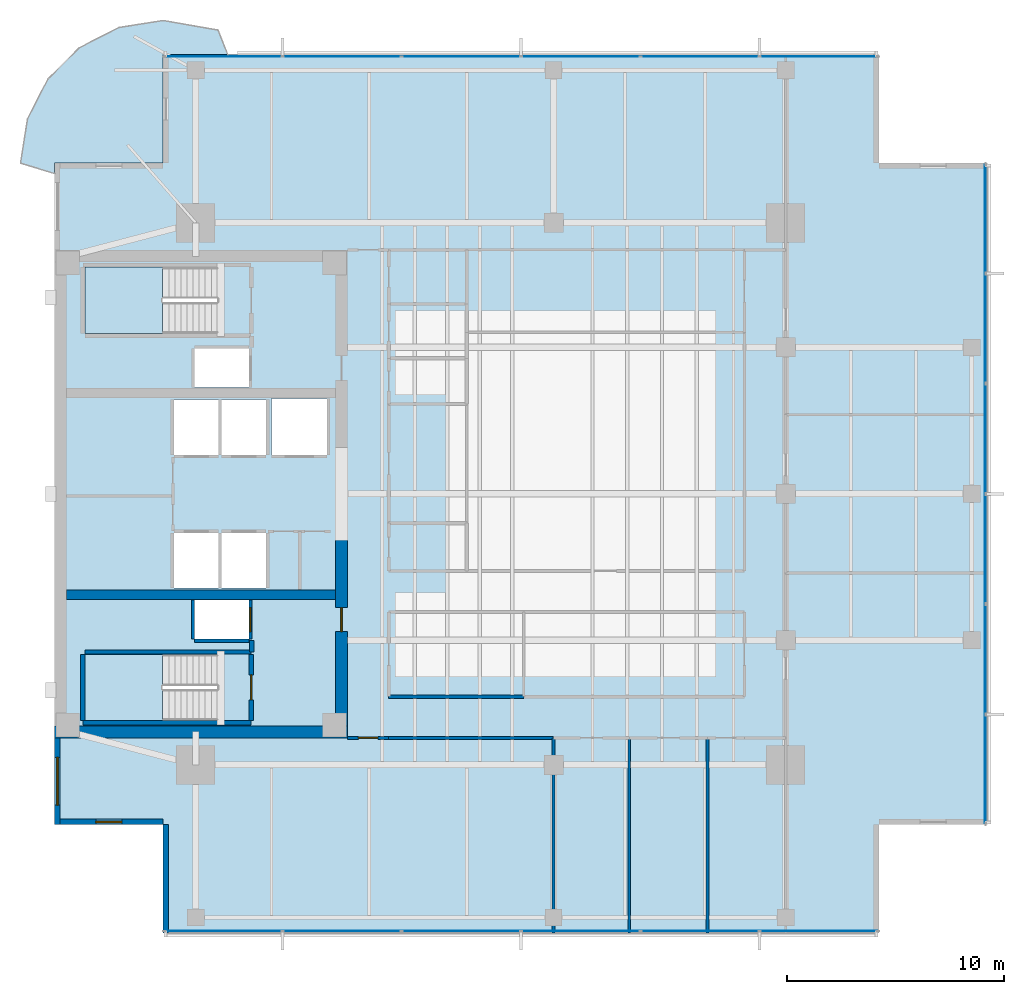
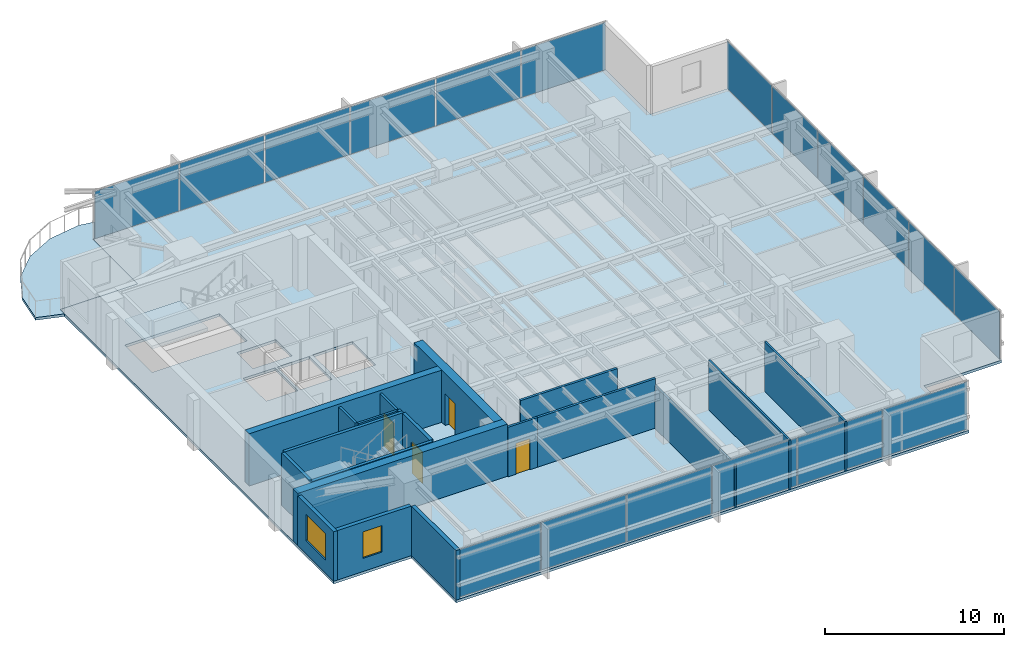
# One storey, part 7 of 14: 20 walls, 18 plates, 4 doors, 4 slabs, 2 windows, 6 openings, 5 elements without a shape of their own.
"""IFC4 building model written with IfcOpenShell, lengths in metres."""

from ifc_helpers import new_model, si_unit, direction, frame, frame_2d, origin, origin_2d, place, context, subcontext, project, spatial, polyline, rectangle, outline, extrude, material, layer, layer_set, type_object, element, fill, aggregate, save


model = new_model("IFC4")

# Units and contexts
model_context = context("Model", 3, precision=1e-05, world=origin(), true_north=direction((0.0, 1.0)))
body_context = subcontext(model_context, "Body", "Model", "MODEL_VIEW")
ifc_project = project(units=[si_unit("LENGTHUNIT", "METRE"), si_unit("AREAUNIT", "SQUARE_METRE"), si_unit("VOLUMEUNIT", "CUBIC_METRE"), si_unit("PLANEANGLEUNIT", "RADIAN"), si_unit("MASSUNIT", "GRAM", prefix="KILO")], contexts=[model_context])

# Site, building, storey
site_placement = place(None, origin())
site = spatial("IfcSite", under=ifc_project, at=site_placement, CompositionType="ELEMENT")
building_placement = place(site_placement, origin())
building = spatial("IfcBuilding", under=site, at=building_placement, Name="Kinhvarn Gate Tower", CompositionType="ELEMENT")
storey_placement = place(building_placement, frame((0.0, 0.0, 223.550048828125)))
storey = spatial("IfcBuildingStorey", under=building, at=storey_placement, Name="L59", CompositionType="ELEMENT", Elevation=223.550048828125)

# Curtain wall, plates
ifc_material_1 = material(Name="Anodised aluminium AW-6063", Category="aluminium")
ifc_layer_1 = layer(ifc_material_1, 0.179931640625)
ifc_layer_set_1 = layer_set([ifc_layer_1], Name="Anodised aluminium AW-6063")
curtain_wall_type = type_object("IfcCurtainWallType", Name="CW-SYS-3", PredefinedType="NOTDEFINED", material=ifc_layer_set_1)
curtain_wall_1_placement = place(storey_placement, origin())
curtain_wall_1 = element("IfcCurtainWall", 1, at=curtain_wall_1_placement, inside=storey, type_object=curtain_wall_type, Name="Curtain Wall CW3 (L59)", PredefinedType="NOTDEFINED")
ifc_material_2 = material(Name="Clear low-e double glazing", Category="glass")
ifc_layer_2 = layer(ifc_material_2, 0.031982421875)
ifc_layer_set_2 = layer_set([ifc_layer_2], Name="Clear low-e double glazing")
plate_type = type_object("IfcPlateType", Name="CW-PNL-VIS", PredefinedType="CURTAIN_PANEL", material=ifc_layer_set_2)
plate_1_placement = place(storey_placement, frame((12.266357421875, 5.090087890625, 0.070068359375), z_axis=(0.0, 0.0, 1.0), x_axis=(1.0, 0.0, 0.0)))
plate_1 = element("IfcPlate", 2, at=plate_1_placement, type_object=plate_type, Name="CW3 panel 1.1", PredefinedType="CURTAIN_PANEL", context=body_context, shape_type="SweptSolid", body=[
    extrude(rectangle(XDim=5.402587890625, YDim=0.031982421875, at=origin_2d()), origin(), (0.0, 0.0, 1.0), 3.22998046875),
])
plate_2_placement = place(storey_placement, frame((17.75, 5.090087890625, 0.070068359375), z_axis=(0.0, 0.0, 1.0), x_axis=(1.0, 0.0, 0.0)))
plate_2 = element("IfcPlate", 3, at=plate_2_placement, type_object=plate_type, Name="CW3 panel 2.1", PredefinedType="CURTAIN_PANEL", context=body_context, shape_type="SweptSolid", body=[
    extrude(rectangle(XDim=5.43505859375, YDim=0.031982421875, at=origin_2d()), origin(), (0.0, 0.0, 1.0), 3.22998046875),
])
plate_3_placement = place(storey_placement, frame((23.25, 5.090087890625, 0.070068359375), z_axis=(0.0, 0.0, 1.0), x_axis=(1.0, 0.0, 0.0)))
plate_3 = element("IfcPlate", 4, at=plate_3_placement, type_object=plate_type, Name="CW3 panel 3.1", PredefinedType="CURTAIN_PANEL", context=body_context, shape_type="SweptSolid", body=[
    extrude(rectangle(XDim=5.43505859375, YDim=0.031982421875, at=origin_2d()), origin(), (0.0, 0.0, 1.0), 3.22998046875),
])
plate_4_placement = place(storey_placement, frame((28.75, 5.090087890625, 0.070068359375), z_axis=(0.0, 0.0, 1.0), x_axis=(1.0, 0.0, 0.0)))
plate_4 = element("IfcPlate", 5, at=plate_4_placement, type_object=plate_type, Name="CW3 panel 4.1", PredefinedType="CURTAIN_PANEL", context=body_context, shape_type="SweptSolid", body=[
    extrude(rectangle(XDim=5.43505859375, YDim=0.031982421875, at=origin_2d()), origin(), (0.0, 0.0, 1.0), 3.22998046875),
])
plate_5_placement = place(storey_placement, frame((34.25, 5.090087890625, 0.070068359375), z_axis=(0.0, 0.0, 1.0), x_axis=(1.0, 0.0, 0.0)))
plate_5 = element("IfcPlate", 6, at=plate_5_placement, type_object=plate_type, Name="CW3 panel 5.1", PredefinedType="CURTAIN_PANEL", context=body_context, shape_type="SweptSolid", body=[
    extrude(rectangle(XDim=5.43505859375, YDim=0.031982421875, at=origin_2d()), origin(), (0.0, 0.0, 1.0), 3.22998046875),
])
plate_6_placement = place(storey_placement, frame((39.733642578125, 5.090087890625, 0.070068359375), z_axis=(0.0, 0.0, 1.0), x_axis=(1.0, 0.0, 0.0)))
plate_6 = element("IfcPlate", 7, at=plate_6_placement, type_object=plate_type, Name="CW3 panel 6.1", PredefinedType="CURTAIN_PANEL", context=body_context, shape_type="SweptSolid", body=[
    extrude(rectangle(XDim=5.402587890625, YDim=0.031982421875, at=origin_2d()), origin(), (0.0, 0.0, 1.0), 3.22998046875),
])
aggregate(curtain_wall_1, [plate_1, plate_2, plate_3, plate_4, plate_5, plate_6])

curtain_wall_2_placement = place(storey_placement, origin())
curtain_wall_2 = element("IfcCurtainWall", 8, at=curtain_wall_2_placement, inside=storey, type_object=curtain_wall_type, Name="Curtain Wall CW3 (L59)", PredefinedType="NOTDEFINED")
plate_7_placement = place(storey_placement, frame((39.733642578125, 45.409912109375, 0.070068359375), z_axis=(0.0, 0.0, 1.0), x_axis=(-1.0, 0.0, 0.0)))
plate_7 = element("IfcPlate", 9, at=plate_7_placement, type_object=plate_type, Name="CW3 panel 1.1", PredefinedType="CURTAIN_PANEL", context=body_context, shape_type="SweptSolid", body=[
    extrude(rectangle(XDim=5.402587890625, YDim=0.031982421875, at=origin_2d()), origin(), (0.0, 0.0, 1.0), 3.22998046875),
])
plate_8_placement = place(storey_placement, frame((34.25, 45.409912109375, 0.070068359375), z_axis=(0.0, 0.0, 1.0), x_axis=(-1.0, 0.0, 0.0)))
plate_8 = element("IfcPlate", 10, at=plate_8_placement, type_object=plate_type, Name="CW3 panel 2.1", PredefinedType="CURTAIN_PANEL", context=body_context, shape_type="SweptSolid", body=[
    extrude(rectangle(XDim=5.43505859375, YDim=0.031982421875, at=origin_2d()), origin(), (0.0, 0.0, 1.0), 3.22998046875),
])
plate_9_placement = place(storey_placement, frame((28.75, 45.409912109375, 0.070068359375), z_axis=(0.0, 0.0, 1.0), x_axis=(-1.0, 0.0, 0.0)))
plate_9 = element("IfcPlate", 11, at=plate_9_placement, type_object=plate_type, Name="CW3 panel 3.1", PredefinedType="CURTAIN_PANEL", context=body_context, shape_type="SweptSolid", body=[
    extrude(rectangle(XDim=5.43505859375, YDim=0.031982421875, at=origin_2d()), origin(), (0.0, 0.0, 1.0), 3.22998046875),
])
plate_10_placement = place(storey_placement, frame((23.25, 45.409912109375, 0.070068359375), z_axis=(0.0, 0.0, 1.0), x_axis=(-1.0, 0.0, 0.0)))
plate_10 = element("IfcPlate", 12, at=plate_10_placement, type_object=plate_type, Name="CW3 panel 4.1", PredefinedType="CURTAIN_PANEL", context=body_context, shape_type="SweptSolid", body=[
    extrude(rectangle(XDim=5.43505859375, YDim=0.031982421875, at=origin_2d()), origin(), (0.0, 0.0, 1.0), 3.22998046875),
])
plate_11_placement = place(storey_placement, frame((17.75, 45.409912109375, 0.070068359375), z_axis=(0.0, 0.0, 1.0), x_axis=(-1.0, 0.0, 0.0)))
plate_11 = element("IfcPlate", 13, at=plate_11_placement, type_object=plate_type, Name="CW3 panel 5.1", PredefinedType="CURTAIN_PANEL", context=body_context, shape_type="SweptSolid", body=[
    extrude(rectangle(XDim=5.43505859375, YDim=0.031982421875, at=origin_2d()), origin(), (0.0, 0.0, 1.0), 3.22998046875),
])
plate_12_placement = place(storey_placement, frame((12.266357421875, 45.409912109375, 0.070068359375), z_axis=(0.0, 0.0, 1.0), x_axis=(-1.0, 0.0, 0.0)))
plate_12 = element("IfcPlate", 14, at=plate_12_placement, type_object=plate_type, Name="CW3 panel 6.1", PredefinedType="CURTAIN_PANEL", context=body_context, shape_type="SweptSolid", body=[
    extrude(rectangle(XDim=5.402587890625, YDim=0.031982421875, at=origin_2d()), origin(), (0.0, 0.0, 1.0), 3.22998046875),
])
aggregate(curtain_wall_2, [plate_7, plate_8, plate_9, plate_10, plate_11, plate_12])

curtain_wall_3_placement = place(storey_placement, origin())
curtain_wall_3 = element("IfcCurtainWall", 15, at=curtain_wall_3_placement, inside=storey, type_object=curtain_wall_type, Name="Curtain Wall CW3 (L59)", PredefinedType="NOTDEFINED")
plate_13_placement = place(storey_placement, frame((47.409912109375, 12.557861328125, 0.070068359375), z_axis=(0.0, 0.0, 1.0), x_axis=(0.0, 1.0, 0.0)))
plate_13 = element("IfcPlate", 16, at=plate_13_placement, type_object=plate_type, Name="CW3 panel 1.1", PredefinedType="CURTAIN_PANEL", context=body_context, shape_type="SweptSolid", body=[
    extrude(rectangle(XDim=4.98583984375, YDim=0.031982421875, at=origin_2d()), origin(), (0.0, 0.0, 1.0), 3.22998046875),
])
plate_14_placement = place(storey_placement, frame((47.409912109375, 17.625, 0.070068359375), z_axis=(0.0, 0.0, 1.0), x_axis=(0.0, 1.0, 0.0)))
plate_14 = element("IfcPlate", 17, at=plate_14_placement, type_object=plate_type, Name="CW3 panel 2.1", PredefinedType="CURTAIN_PANEL", context=body_context, shape_type="SweptSolid", body=[
    extrude(rectangle(XDim=5.018310546875, YDim=0.031982421875, at=origin_2d()), origin(), (0.0, 0.0, 1.0), 3.22998046875),
])
plate_15_placement = place(storey_placement, frame((47.409912109375, 22.708251953125, 0.070068359375), z_axis=(0.0, 0.0, 1.0), x_axis=(0.0, 1.0, 0.0)))
plate_15 = element("IfcPlate", 18, at=plate_15_placement, type_object=plate_type, Name="CW3 panel 3.1", PredefinedType="CURTAIN_PANEL", context=body_context, shape_type="SweptSolid", body=[
    extrude(rectangle(XDim=5.018310546875, YDim=0.031982421875, at=origin_2d()), origin(), (0.0, 0.0, 1.0), 3.22998046875),
])
plate_16_placement = place(storey_placement, frame((47.409912109375, 27.791748046875, 0.070068359375), z_axis=(0.0, 0.0, 1.0), x_axis=(0.0, 1.0, 0.0)))
plate_16 = element("IfcPlate", 19, at=plate_16_placement, type_object=plate_type, Name="CW3 panel 4.1", PredefinedType="CURTAIN_PANEL", context=body_context, shape_type="SweptSolid", body=[
    extrude(rectangle(XDim=5.018310546875, YDim=0.031982421875, at=origin_2d()), origin(), (0.0, 0.0, 1.0), 3.22998046875),
])
plate_17_placement = place(storey_placement, frame((47.409912109375, 32.875, 0.070068359375), z_axis=(0.0, 0.0, 1.0), x_axis=(0.0, 1.0, 0.0)))
plate_17 = element("IfcPlate", 20, at=plate_17_placement, type_object=plate_type, Name="CW3 panel 5.1", PredefinedType="CURTAIN_PANEL", context=body_context, shape_type="SweptSolid", body=[
    extrude(rectangle(XDim=5.018310546875, YDim=0.031982421875, at=origin_2d()), origin(), (0.0, 0.0, 1.0), 3.22998046875),
])
plate_18_placement = place(storey_placement, frame((47.409912109375, 37.942138671875, 0.070068359375), z_axis=(0.0, 0.0, 1.0), x_axis=(0.0, 1.0, 0.0)))
plate_18 = element("IfcPlate", 21, at=plate_18_placement, type_object=plate_type, Name="CW3 panel 6.1", PredefinedType="CURTAIN_PANEL", context=body_context, shape_type="SweptSolid", body=[
    extrude(rectangle(XDim=4.98583984375, YDim=0.031982421875, at=origin_2d()), origin(), (0.0, 0.0, 1.0), 3.22998046875),
])
aggregate(curtain_wall_3, [plate_13, plate_14, plate_15, plate_16, plate_17, plate_18])

# Slabs
ifc_material_3 = material(Name="Precast white architectural concrete C40/50", Category="concrete")
ifc_layer_3 = layer(ifc_material_3, 0.179931640625)
ifc_layer_set_3 = layer_set([ifc_layer_3], Name="Precast white architectural concrete C40/50")
slab_type_1 = type_object("IfcSlabType", Name="SLB-BAL-180", PredefinedType="FLOOR", material=ifc_layer_set_3)
slab_1_placement = place(storey_placement, frame((0.0, 0.0, -0.179931640625)))
element("IfcSlab", 22, at=slab_1_placement, inside=storey, type_object=slab_type_1, Name="S-Carve Curved Terrace Balcony Slab L59 (NW)", PredefinedType="FLOOR", context=body_context, shape_type="SweptSolid", body=[
    extrude(outline(polyline([(12.48095703125, 45.5), (12.031005859375, 46.634765625), (9.5, 47.075927734375), (7.468017578125, 46.754150390625), (5.634765625, 45.820068359375), (4.179931640625, 44.365234375), (3.245849609375, 42.531982421875), (2.924072265625, 40.5), (4.5, 40.01708984375), (4.5, 40.5), (9.5, 40.5), (9.5, 45.5), (12.48095703125, 45.5)])), origin(), (0.0, 0.0, 1.0), 0.179931640625),
])
ifc_material_4 = material(Name="Concrete C40/50", Category="concrete")
ifc_layer_4 = layer(ifc_material_4, 0.179931640625)
ifc_layer_set_4 = layer_set([ifc_layer_4], Name="Concrete C40/50")
slab_type_2 = type_object("IfcSlabType", Name="SLB-FLR-180", PredefinedType="FLOOR", material=ifc_layer_set_4)
slab_2_placement = place(storey_placement, frame((0.0, 0.0, -0.179931640625)))
element("IfcSlab", 23, at=slab_2_placement, inside=storey, type_object=slab_type_2, Name="Suspended Floor Slab L59", PredefinedType="FLOOR", context=body_context, shape_type="SweptSolid", body=[
    extrude(outline(polyline([(9.5, 5.0), (42.5, 5.0), (42.5, 10.0), (47.5, 10.0), (47.5, 40.5), (42.5, 40.5), (42.5, 45.5), (9.5, 45.5), (9.5, 40.5), (4.5, 40.5), (4.5, 10.0), (9.5, 10.0), (9.5, 5.0)]), holes=[polyline([(5.89990234375, 14.800048828125), (12.0, 14.800048828125), (12.0, 17.85009765625), (5.89990234375, 17.85009765625), (5.89990234375, 14.800048828125)]), polyline([(5.89990234375, 32.64990234375), (12.0, 32.64990234375), (12.0, 35.699951171875), (5.89990234375, 35.699951171875), (5.89990234375, 32.64990234375)]), polyline([(10.0, 20.89990234375), (12.050048828125, 20.89990234375), (12.050048828125, 23.449951171875), (10.0, 23.449951171875), (10.0, 20.89990234375)]), polyline([(12.199951171875, 20.89990234375), (14.25, 20.89990234375), (14.25, 23.449951171875), (12.199951171875, 23.449951171875), (12.199951171875, 20.89990234375)]), polyline([(10.0, 27.050048828125), (12.050048828125, 27.050048828125), (12.050048828125, 29.60009765625), (10.0, 29.60009765625), (10.0, 27.050048828125)]), polyline([(12.199951171875, 27.050048828125), (14.25, 27.050048828125), (14.25, 29.60009765625), (12.199951171875, 29.60009765625), (12.199951171875, 27.050048828125)]), polyline([(14.5, 27.050048828125), (17.050048828125, 27.050048828125), (17.050048828125, 29.64990234375), (14.5, 29.64990234375), (14.5, 27.050048828125)]), polyline([(10.949951171875, 18.550048828125), (13.449951171875, 18.550048828125), (13.449951171875, 20.35009765625), (10.949951171875, 20.35009765625), (10.949951171875, 18.550048828125)]), polyline([(10.949951171875, 30.14990234375), (13.449951171875, 30.14990234375), (13.449951171875, 31.949951171875), (10.949951171875, 31.949951171875), (10.949951171875, 30.14990234375)])]), origin(), (0.0, 0.0, 1.0), 0.179931640625),
])

# Stair, slab
stair_type = type_object("IfcStairType", Name="STR-DLG-177", PredefinedType="HALF_TURN_STAIR", material=ifc_material_4)
stair_1_placement = place(storey_placement, origin())
stair_1 = element("IfcStair", 24, at=stair_1_placement, inside=storey, type_object=stair_type, Name="L59 Core Smokeproof Exit Stair ST1", PredefinedType="HALF_TURN_STAIR")
ifc_layer_5 = layer(ifc_material_4, 0.199951171875)
ifc_layer_set_5 = layer_set([ifc_layer_5], Name="Concrete C40/50")
slab_type_3 = type_object("IfcSlabType", Name="SLB-ST-LND", PredefinedType="LANDING", material=ifc_layer_set_5)
slab_3_placement = place(storey_placement, frame((0.0, 0.0, 1.574951171875)))
slab_3 = element("IfcSlab", 25, at=slab_3_placement, type_object=slab_type_3, Name="ST1 landing 1", PredefinedType="LANDING", context=body_context, shape_type="SweptSolid", body=[
    extrude(outline(polyline([(9.47998046875, 17.85009765625), (5.89990234375, 17.85009765625), (5.89990234375, 14.800048828125), (9.47998046875, 14.800048828125), (9.47998046875, 17.85009765625)])), origin(), (0.0, 0.0, 1.0), 0.199951171875),
])
aggregate(stair_1, [slab_3])

stair_2_placement = place(storey_placement, origin())
stair_2 = element("IfcStair", 26, at=stair_2_placement, inside=storey, type_object=stair_type, Name="L59 Core Smokeproof Exit Stair ST2", PredefinedType="HALF_TURN_STAIR")
slab_4_placement = place(storey_placement, frame((0.0, 0.0, 1.574951171875)))
slab_4 = element("IfcSlab", 27, at=slab_4_placement, type_object=slab_type_3, Name="ST2 landing 1", PredefinedType="LANDING", context=body_context, shape_type="SweptSolid", body=[
    extrude(outline(polyline([(9.47998046875, 35.699951171875), (5.89990234375, 35.699951171875), (5.89990234375, 32.64990234375), (9.47998046875, 32.64990234375), (9.47998046875, 35.699951171875)])), origin(), (0.0, 0.0, 1.0), 0.199951171875),
])
aggregate(stair_2, [slab_4])

# Walls
ifc_material_5 = material(Name="Concrete C50/60", Category="concrete")
ifc_layer_6 = layer(ifc_material_5, 0.449951171875)
ifc_layer_set_6 = layer_set([ifc_layer_6], Name="Concrete C50/60")
wall_type_1 = type_object("IfcWallType", Name="WL-CORE-450", PredefinedType="SHEAR", material=ifc_layer_set_6)
wall_1_placement = place(storey_placement, frame((5.050048828125, 20.60009765625, 0.0), z_axis=(0.0, 0.0, 1.0), x_axis=(1.0, 0.0, 0.0)))
element("IfcWall", 28, at=wall_1_placement, inside=storey, type_object=wall_type_1, Name="Core South Spine Shear Wall L59 450 mm", PredefinedType="SHEAR", context=body_context, shape_type="SweptSolid", body=[
    extrude(rectangle(XDim=12.39990234375, YDim=0.449951171875, at=frame_2d((6.199951171875, 0.0))), origin(), (0.0, 0.0, 1.0), 3.550048828125),
])
ifc_material_6 = material(Name="Concrete C60/75", Category="concrete")
ifc_layer_7 = layer(ifc_material_6, 0.550048828125)
ifc_layer_set_7 = layer_set([ifc_layer_7], Name="Concrete C60/75")
wall_type_2 = type_object("IfcWallType", Name="WL-CORE-550", PredefinedType="SHEAR", material=ifc_layer_set_7)
wall_2_placement = place(storey_placement, frame((4.5, 14.27490234375, 0.0), z_axis=(0.0, 0.0, 1.0), x_axis=(1.0, 0.0, 0.0)))
element("IfcWall", 29, at=wall_2_placement, inside=storey, type_object=wall_type_2, Name="Core South Shear Wall L59 550 mm", PredefinedType="SHEAR", context=body_context, shape_type="SweptSolid", body=[
    extrude(rectangle(XDim=13.5, YDim=0.550048828125, at=frame_2d((6.75, 0.0))), origin(), (0.0, 0.0, 1.0), 3.550048828125),
])

# Wall, opening, door
wall_3_placement = place(storey_placement, frame((17.72509765625, 14.550048828125, 0.0), z_axis=(0.0, 0.0, 1.0), x_axis=(0.0, 1.0, 0.0)))
wall_3 = element("IfcWall", 30, at=wall_3_placement, inside=storey, type_object=wall_type_2, Name="Core East-South Shear Pier L59 550 mm", PredefinedType="SHEAR", context=body_context, shape_type="SweptSolid", body=[
    extrude(rectangle(XDim=8.89990234375, YDim=0.550048828125, at=frame_2d((4.449951171875, 0.0))), origin(), (0.0, 0.0, 1.0), 3.550048828125),
])
opening_1_placement = place(wall_3_placement, frame((4.35009765625, 0.0, 0.0)))
opening_1 = element("IfcOpeningElement", 31, at=opening_1_placement, cuts=wall_3, Name="Opening FD-02", PredefinedType="OPENING", context=body_context, shape_type="SweptSolid", body=[
    extrude(rectangle(XDim=1.10009765625, YDim=2.14990234375, at=frame_2d((0.550048828125, 1.074951171875))), frame((0.0, 0.28515625, 0.0), z_axis=(0.0, -1.0, 0.0), x_axis=(1.0, 0.0, 0.0)), (0.0, 0.0, 1.0), 0.570068359375),
])
door_type_1 = type_object("IfcDoorType", Name="DR-FD-1100", OperationType="NOTDEFINED", PredefinedType="DOOR", material=ifc_material_1)
door_1_placement = place(opening_1_placement, origin())
door_1 = element("IfcDoor", 32, at=door_1_placement, inside=storey, type_object=door_type_1, Name="Firefighting Lobby Core Door (L59)", OperationType="SINGLE_SWING_RIGHT", OverallHeight=2.14990234375, OverallWidth=1.10009765625, PredefinedType="DOOR", context=body_context, shape_type="SweptSolid", body=[
    extrude(rectangle(XDim=1.10009765625, YDim=2.14990234375, at=frame_2d((0.550048828125, 1.074951171875))), frame((0.0, 0.02490234375, 0.0), z_axis=(0.0, -1.0, 0.0), x_axis=(1.0, 0.0, 0.0)), (0.0, 0.0, 1.0), 0.050048828125),
])
fill(opening_1, door_1)

# Wall, opening, window
ifc_material_7 = material(Name="Fired architectural terracotta", Category="masonry")
ifc_layer_8 = layer(ifc_material_7, 0.25)
ifc_layer_set_8 = layer_set([ifc_layer_8], Name="Fired architectural terracotta")
wall_type_3 = type_object("IfcWallType", Name="WL-EXT-250", PredefinedType="SOLIDWALL", material=ifc_layer_set_8)
wall_4_placement = place(storey_placement, frame((4.625, 14.0, 0.0), z_axis=(0.0, 0.0, 1.0), x_axis=(0.0, -1.0, 0.0)))
wall_4 = element("IfcWall", 33, at=wall_4_placement, inside=storey, type_object=wall_type_3, Name="Exterior Solidwall Wall EW-250 (L59 West-South)", PredefinedType="SOLIDWALL", context=body_context, shape_type="SweptSolid", body=[
    extrude(rectangle(XDim=4.0, YDim=0.25, at=frame_2d((2.0, 0.0))), origin(), (0.0, 0.0, 1.0), 3.369873046875),
])
opening_2_placement = place(wall_4_placement, frame((0.89990234375, 0.0, 0.89990234375)))
opening_2 = element("IfcOpeningElement", 34, at=opening_2_placement, cuts=wall_4, Name="Opening WN-01", PredefinedType="OPENING", context=body_context, shape_type="SweptSolid", body=[
    extrude(rectangle(XDim=2.199951171875, YDim=1.800048828125, at=frame_2d((1.10009765625, 0.89990234375))), frame((0.0, 0.135009765625, 0.0), z_axis=(0.0, -1.0, 0.0), x_axis=(1.0, 0.0, 0.0)), (0.0, 0.0, 1.0), 0.27001953125),
])
window_type_1 = type_object("IfcWindowType", Name="WIN-RIB-2200", PartitioningType="SINGLE_PANEL", PredefinedType="WINDOW", material=ifc_material_2)
window_1_placement = place(opening_2_placement, origin())
window_1 = element("IfcWindow", 35, at=window_1_placement, inside=storey, type_object=window_type_1, Name="West Flank Double-Glazed Ribbon Window 2200x1800 mm (L59)", OverallHeight=1.800048828125, OverallWidth=2.199951171875, PartitioningType="SINGLE_PANEL", PredefinedType="WINDOW", context=body_context, shape_type="SweptSolid", body=[
    extrude(rectangle(XDim=2.199951171875, YDim=1.800048828125, at=frame_2d((1.10009765625, 0.89990234375))), frame((0.0, 0.030029296875, 0.0), z_axis=(0.0, -1.0, 0.0), x_axis=(1.0, 0.0, 0.0)), (0.0, 0.0, 1.0), 0.06005859375),
])
fill(opening_2, window_1)

wall_5_placement = place(storey_placement, frame((4.5, 10.125, 0.0), z_axis=(0.0, 0.0, 1.0), x_axis=(1.0, 0.0, 0.0)))
wall_5 = element("IfcWall", 36, at=wall_5_placement, inside=storey, type_object=wall_type_3, Name="Exterior Solidwall Wall EW-250 (L59 SW-Notch-1)", PredefinedType="SOLIDWALL", context=body_context, shape_type="SweptSolid", body=[
    extrude(rectangle(XDim=5.0, YDim=0.25, at=frame_2d((2.5, 0.0))), origin(), (0.0, 0.0, 1.0), 3.369873046875),
])
opening_3_placement = place(wall_5_placement, frame((1.89990234375, 0.0, 0.89990234375)))
opening_3 = element("IfcOpeningElement", 37, at=opening_3_placement, cuts=wall_5, Name="Opening WN-02", PredefinedType="OPENING", context=body_context, shape_type="SweptSolid", body=[
    extrude(rectangle(XDim=1.199951171875, YDim=1.800048828125, at=frame_2d((0.60009765625, 0.89990234375))), frame((0.0, 0.135009765625, 0.0), z_axis=(0.0, -1.0, 0.0), x_axis=(1.0, 0.0, 0.0)), (0.0, 0.0, 1.0), 0.27001953125),
])
window_type_2 = type_object("IfcWindowType", Name="WIN-NTC-1200", PartitioningType="SINGLE_PANEL", PredefinedType="WINDOW", material=ifc_material_2)
window_2_placement = place(opening_3_placement, origin())
window_2 = element("IfcWindow", 38, at=window_2_placement, inside=storey, type_object=window_type_2, Name="Recessed Corner Notch Punched Window 1200x1800 mm (L59)", OverallHeight=1.800048828125, OverallWidth=1.199951171875, PartitioningType="SINGLE_PANEL", PredefinedType="WINDOW", context=body_context, shape_type="SweptSolid", body=[
    extrude(rectangle(XDim=1.199951171875, YDim=1.800048828125, at=frame_2d((0.60009765625, 0.89990234375))), frame((0.0, 0.030029296875, 0.0), z_axis=(0.0, -1.0, 0.0), x_axis=(1.0, 0.0, 0.0)), (0.0, 0.0, 1.0), 0.06005859375),
])
fill(opening_3, window_2)

# Walls
wall_6_placement = place(storey_placement, frame((9.625, 10.0, 0.0), z_axis=(0.0, 0.0, 1.0), x_axis=(0.0, -1.0, 0.0)))
element("IfcWall", 39, at=wall_6_placement, inside=storey, type_object=wall_type_3, Name="Exterior Solidwall Wall EW-250 (L59 SW-Notch-2)", PredefinedType="SOLIDWALL", context=body_context, shape_type="SweptSolid", body=[
    extrude(rectangle(XDim=5.0, YDim=0.25, at=frame_2d((2.5, 0.0))), origin(), (0.0, 0.0, 1.0), 3.369873046875),
])
ifc_material_8 = material(Name="Gypsum acoustic partition board")
ifc_layer_9 = layer(ifc_material_8, 0.1201171875)
ifc_layer_set_9 = layer_set([ifc_layer_9], Name="Gypsum acoustic partition board")
wall_type_4 = type_object("IfcWallType", Name="WL-PRT-120", PredefinedType="PARTITIONING", material=ifc_layer_set_9)
wall_7_placement = place(storey_placement, frame((27.5, 5.010009765625, 0.0), z_axis=(0.0, 0.0, 1.0), x_axis=(0.0, 1.0, 0.0)))
element("IfcWall", 40, at=wall_7_placement, inside=storey, type_object=wall_type_4, Name="Interior Partition PW-120 (L59)", PredefinedType="PARTITIONING", context=body_context, shape_type="SweptSolid", body=[
    extrude(rectangle(XDim=8.989990234375, YDim=0.1201171875, at=frame_2d((4.4951171875, 0.0))), origin(), (0.0, 0.0, 1.0), 2.919921875),
])
for number, where, z_axis, x_axis, name in (
    (41, (31.0, 5.010009765625, 0.0), (0.0, 0.0, 1.0), (0.0, 1.0, 0.0), "Interior Partition PW-120 (L59)"),
    (42, (34.60009765625, 5.010009765625, 0.0), (0.0, 0.0, 1.0), (0.0, 1.0, 0.0), "Interior Partition PW-120 (L59)"),
):
    element("IfcWall", number, at=place(storey_placement, frame(where, z_axis=z_axis, x_axis=x_axis)), inside=storey, type_object=wall_type_4, Name=name, PredefinedType="PARTITIONING", context=body_context, shape_type="SweptSolid", body=[
        extrude(rectangle(XDim=8.989990234375, YDim=0.1201171875, at=frame_2d((4.4951171875, 0.0))), origin(), (0.0, 0.0, 1.0), 3.369873046875),
    ])

# Wall, opening, door
ifc_layer_10 = layer(ifc_material_8, 0.14990234375)
ifc_layer_set_10 = layer_set([ifc_layer_10], Name="Gypsum acoustic partition board")
wall_type_5 = type_object("IfcWallType", Name="WL-PRT-150F", PredefinedType="PARTITIONING", material=ifc_layer_set_10)
wall_8_placement = place(storey_placement, frame((18.0, 14.0, 0.0), z_axis=(0.0, 0.0, 1.0), x_axis=(1.0, 0.0, 0.0)))
wall_8 = element("IfcWall", 43, at=wall_8_placement, inside=storey, type_object=wall_type_5, Name="Interior Partition PW-150F (L59)", PredefinedType="PARTITIONING", context=body_context, shape_type="SweptSolid", body=[
    extrude(rectangle(XDim=1.89990234375, YDim=0.14990234375, at=frame_2d((0.949951171875, 0.0))), origin(), (0.0, 0.0, 1.0), 3.369873046875),
])
opening_4_placement = place(wall_8_placement, frame((0.5, 0.0, 0.0)))
opening_4 = element("IfcOpeningElement", 44, at=opening_4_placement, cuts=wall_8, Name="Opening ID-03", PredefinedType="OPENING", context=body_context, shape_type="SweptSolid", body=[
    extrude(rectangle(XDim=0.89990234375, YDim=2.10009765625, at=frame_2d((0.449951171875, 1.050048828125))), frame((0.0, 0.0849609375, 0.0), z_axis=(0.0, -1.0, 0.0), x_axis=(1.0, 0.0, 0.0)), (0.0, 0.0, 1.0), 0.169921875),
])
door_type_2 = type_object("IfcDoorType", Name="DR-INT-900", OperationType="NOTDEFINED", PredefinedType="DOOR", material=ifc_material_1)
door_2_placement = place(opening_4_placement, origin())
door_2 = element("IfcDoor", 45, at=door_2_placement, inside=storey, type_object=door_type_2, Name="Cellular Office & Restroom Door 900x2100 mm (L59)", OperationType="SINGLE_SWING_RIGHT", OverallHeight=2.10009765625, OverallWidth=0.89990234375, PredefinedType="DOOR", context=body_context, shape_type="SweptSolid", body=[
    extrude(rectangle(XDim=0.89990234375, YDim=2.10009765625, at=frame_2d((0.449951171875, 1.050048828125))), frame((0.0, 0.02490234375, 0.0), z_axis=(0.0, -1.0, 0.0), x_axis=(1.0, 0.0, 0.0)), (0.0, 0.0, 1.0), 0.050048828125),
])
fill(opening_4, door_2)

# Walls
wall_9_placement = place(storey_placement, frame((19.89990234375, 15.89990234375, 0.0), z_axis=(0.0, 0.0, 1.0), x_axis=(1.0, 0.0, 0.0)))
element("IfcWall", 46, at=wall_9_placement, inside=storey, type_object=wall_type_5, Name="Interior Partition PW-150F (L59)", PredefinedType="PARTITIONING", context=body_context, shape_type="SweptSolid", body=[
    extrude(rectangle(XDim=6.22998046875, YDim=0.14990234375, at=frame_2d((3.114990234375, 0.0))), origin(), (0.0, 0.0, 1.0), 3.369873046875),
])
wall_10_placement = place(storey_placement, frame((19.89990234375, 14.0, 0.0), z_axis=(0.0, 0.0, 1.0), x_axis=(1.0, 0.0, 0.0)))
element("IfcWall", 47, at=wall_10_placement, inside=storey, type_object=wall_type_5, Name="Interior Partition PW-150F (L59)", PredefinedType="PARTITIONING", context=body_context, shape_type="SweptSolid", body=[
    extrude(rectangle(XDim=7.60009765625, YDim=0.14990234375, at=frame_2d((3.800048828125, 0.0))), origin(), (0.0, 0.0, 1.0), 3.369873046875),
])
ifc_layer_11 = layer(ifc_material_8, 0.199951171875)
ifc_layer_set_11 = layer_set([ifc_layer_11], Name="Gypsum acoustic partition board")
wall_type_6 = type_object("IfcWallType", Name="WL-PRT-200", PredefinedType="PARTITIONING", material=ifc_layer_set_11)
wall_11_placement = place(storey_placement, frame((13.580078125, 17.9599609375, 0.0), z_axis=(0.0, 0.0, 1.0), x_axis=(0.0, 1.0, 0.0)))
element("IfcWall", 48, at=wall_11_placement, inside=storey, type_object=wall_type_6, Name="Interior Partition PW-200 (L59)", PredefinedType="PARTITIONING", context=body_context, shape_type="SweptSolid", body=[
    extrude(rectangle(XDim=0.5400390625, YDim=0.199951171875, at=frame_2d((0.27001953125, 0.0))), origin(), (0.0, 0.0, 1.0), 3.369873046875),
])
ifc_layer_12 = layer(ifc_material_8, 0.14990234375)
ifc_layer_set_12 = layer_set([ifc_layer_12], Name="Gypsum acoustic partition board")
wall_type_7 = type_object("IfcWallType", Name="WL-SHF-150", PredefinedType="PARTITIONING", material=ifc_layer_set_12)
wall_12_placement = place(storey_placement, frame((10.949951171875, 18.47509765625, 0.0), z_axis=(0.0, 0.0, 1.0), x_axis=(1.0, 0.0, 0.0)))
element("IfcWall", 49, at=wall_12_placement, inside=storey, type_object=wall_type_7, Name="Elevator FF1 Hoistway Wall S (L59)", PredefinedType="PARTITIONING", context=body_context, shape_type="SweptSolid", body=[
    extrude(rectangle(XDim=2.5, YDim=0.14990234375, at=frame_2d((1.25, 0.0))), origin(), (0.0, 0.0, 1.0), 3.369873046875),
])
wall_13_placement = place(storey_placement, frame((10.875, 18.550048828125, 0.0), z_axis=(0.0, 0.0, 1.0), x_axis=(0.0, 1.0, 0.0)))
element("IfcWall", 50, at=wall_13_placement, inside=storey, type_object=wall_type_7, Name="Elevator FF1 Hoistway Wall W (L59)", PredefinedType="PARTITIONING", context=body_context, shape_type="SweptSolid", body=[
    extrude(rectangle(XDim=1.800048828125, YDim=0.14990234375, at=frame_2d((0.89990234375, 0.0))), origin(), (0.0, 0.0, 1.0), 3.369873046875),
])

# Wall, opening, door
wall_14_placement = place(storey_placement, frame((13.52490234375, 18.550048828125, 0.0), z_axis=(0.0, 0.0, 1.0), x_axis=(0.0, 1.0, 0.0)))
wall_14 = element("IfcWall", 51, at=wall_14_placement, inside=storey, type_object=wall_type_7, Name="Elevator FF1 Landing Wall (L59)", PredefinedType="PARTITIONING", context=body_context, shape_type="SweptSolid", body=[
    extrude(rectangle(XDim=1.800048828125, YDim=0.14990234375, at=frame_2d((0.89990234375, 0.0))), origin(), (0.0, 0.0, 1.0), 3.369873046875),
])
opening_5_placement = place(wall_14_placement, frame((0.35009765625, 0.0, 0.0)))
opening_5 = element("IfcOpeningElement", 52, at=opening_5_placement, cuts=wall_14, Name="Opening LD-03", PredefinedType="OPENING", context=body_context, shape_type="SweptSolid", body=[
    extrude(rectangle(XDim=1.10009765625, YDim=2.199951171875, at=frame_2d((0.550048828125, 1.10009765625))), frame((0.0, 0.0849609375, 0.0), z_axis=(0.0, -1.0, 0.0), x_axis=(1.0, 0.0, 0.0)), (0.0, 0.0, 1.0), 0.169921875),
])
door_type_3 = type_object("IfcDoorType", Name="DR-LND-FF", OperationType="NOTDEFINED", PredefinedType="DOOR", material=ifc_material_1)
door_3_placement = place(opening_5_placement, origin())
door_3 = element("IfcDoor", 53, at=door_3_placement, inside=storey, type_object=door_type_3, Name="Elevator FF1 Sliding Landing Door (L59)", OperationType="DOUBLE_DOOR_SLIDING", OverallHeight=2.199951171875, OverallWidth=1.10009765625, PredefinedType="DOOR", context=body_context, shape_type="SweptSolid", body=[
    extrude(rectangle(XDim=1.10009765625, YDim=2.199951171875, at=frame_2d((0.550048828125, 1.10009765625))), frame((0.0, 0.02490234375, 0.0), z_axis=(0.0, -1.0, 0.0), x_axis=(1.0, 0.0, 0.0)), (0.0, 0.0, 1.0), 0.050048828125),
])
fill(opening_5, door_3)

# Walls
ifc_layer_13 = layer(ifc_material_4, 0.199951171875)
ifc_layer_set_13 = layer_set([ifc_layer_13], Name="Concrete C40/50")
wall_type_8 = type_object("IfcWallType", Name="WL-SHF-200", PredefinedType="SOLIDWALL", material=ifc_layer_set_13)
wall_15_placement = place(storey_placement, frame((5.800048828125, 14.699951171875, 0.0), z_axis=(0.0, 0.0, 1.0), x_axis=(1.0, 0.0, 0.0)))
element("IfcWall", 54, at=wall_15_placement, inside=storey, type_object=wall_type_8, Name="Stair ST1 South Shaft Wall (L59)", PredefinedType="SOLIDWALL", context=body_context, shape_type="SweptSolid", body=[
    extrude(rectangle(XDim=7.75, YDim=0.199951171875, at=frame_2d((3.875, 0.0))), origin(), (0.0, 0.0, 1.0), 3.550048828125),
])
wall_16_placement = place(storey_placement, frame((5.7900390625, 14.800048828125, 0.0), z_axis=(0.0, 0.0, 1.0), x_axis=(0.0, 1.0, 0.0)))
element("IfcWall", 55, at=wall_16_placement, inside=storey, type_object=wall_type_8, Name="Stair ST1 West Shaft Wall (L59)", PredefinedType="SOLIDWALL", context=body_context, shape_type="SweptSolid", body=[
    extrude(rectangle(XDim=3.050048828125, YDim=0.199951171875, at=frame_2d((1.52490234375, 0.0))), origin(), (0.0, 0.0, 1.0), 3.550048828125),
])
wall_17_placement = place(storey_placement, frame((5.89990234375, 17.9599609375, 0.0), z_axis=(0.0, 0.0, 1.0), x_axis=(1.0, 0.0, 0.0)))
element("IfcWall", 56, at=wall_17_placement, inside=storey, type_object=wall_type_8, Name="Stair ST1 North Shaft Wall (L59)", PredefinedType="SOLIDWALL", context=body_context, shape_type="SweptSolid", body=[
    extrude(rectangle(XDim=7.66015625, YDim=0.199951171875, at=frame_2d((3.830078125, 0.0))), origin(), (0.0, 0.0, 1.0), 3.550048828125),
])

# Wall, opening, door
wall_18_placement = place(storey_placement, frame((13.56005859375, 14.800048828125, 0.0), z_axis=(0.0, 0.0, 1.0), x_axis=(0.0, 1.0, 0.0)))
wall_18 = element("IfcWall", 57, at=wall_18_placement, inside=storey, type_object=wall_type_8, Name="Stair ST1 East Entry Wall (L59)", PredefinedType="SOLIDWALL", context=body_context, shape_type="SweptSolid", body=[
    extrude(rectangle(XDim=3.050048828125, YDim=0.199951171875, at=frame_2d((1.52490234375, 0.0))), origin(), (0.0, 0.0, 1.0), 3.550048828125),
])
opening_6_placement = place(wall_18_placement, frame((0.949951171875, 0.0, 0.0)))
opening_6 = element("IfcOpeningElement", 58, at=opening_6_placement, cuts=wall_18, Name="Opening FD-01", PredefinedType="OPENING", context=body_context, shape_type="SweptSolid", body=[
    extrude(rectangle(XDim=1.14990234375, YDim=2.14990234375, at=frame_2d((0.574951171875, 1.074951171875))), frame((0.0, 0.10986328125, 0.0), z_axis=(0.0, -1.0, 0.0), x_axis=(1.0, 0.0, 0.0)), (0.0, 0.0, 1.0), 0.219970703125),
])
door_type_4 = type_object("IfcDoorType", Name="DR-ST-1150", OperationType="NOTDEFINED", PredefinedType="DOOR", material=ifc_material_1)
door_4_placement = place(opening_6_placement, origin())
door_4 = element("IfcDoor", 59, at=door_4_placement, inside=storey, type_object=door_type_4, Name="Exit Stair ST1 Fire Door (L59)", OperationType="SINGLE_SWING_LEFT", OverallHeight=2.14990234375, OverallWidth=1.14990234375, PredefinedType="DOOR", context=body_context, shape_type="SweptSolid", body=[
    extrude(rectangle(XDim=1.14990234375, YDim=2.14990234375, at=frame_2d((0.574951171875, 1.074951171875))), frame((0.0, 0.02490234375, 0.0), z_axis=(0.0, -1.0, 0.0), x_axis=(1.0, 0.0, 0.0)), (0.0, 0.0, 1.0), 0.050048828125),
])
fill(opening_6, door_4)

save(model, "model.ifc")
